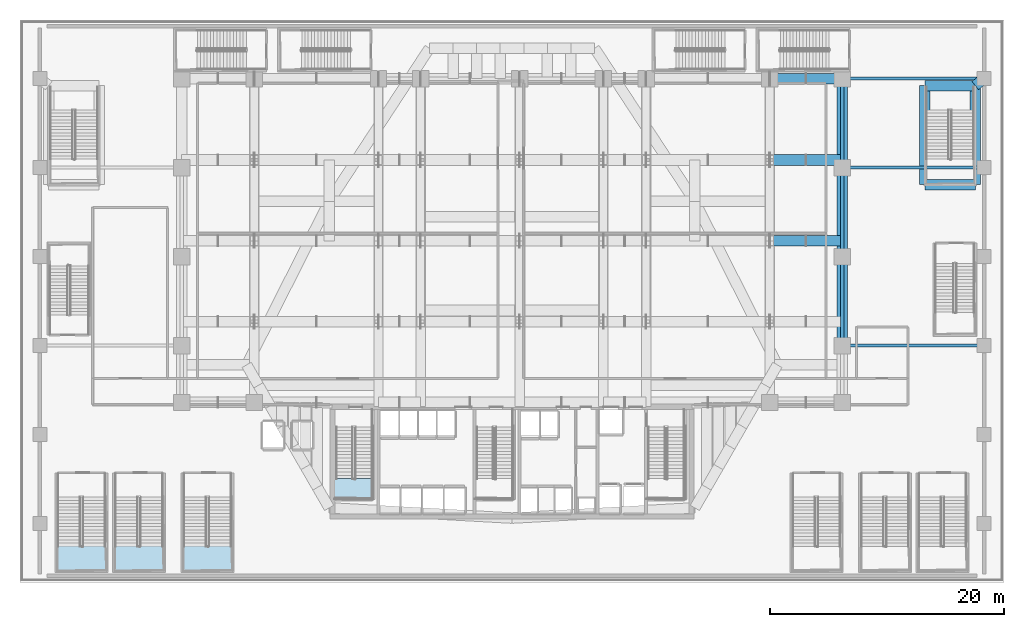
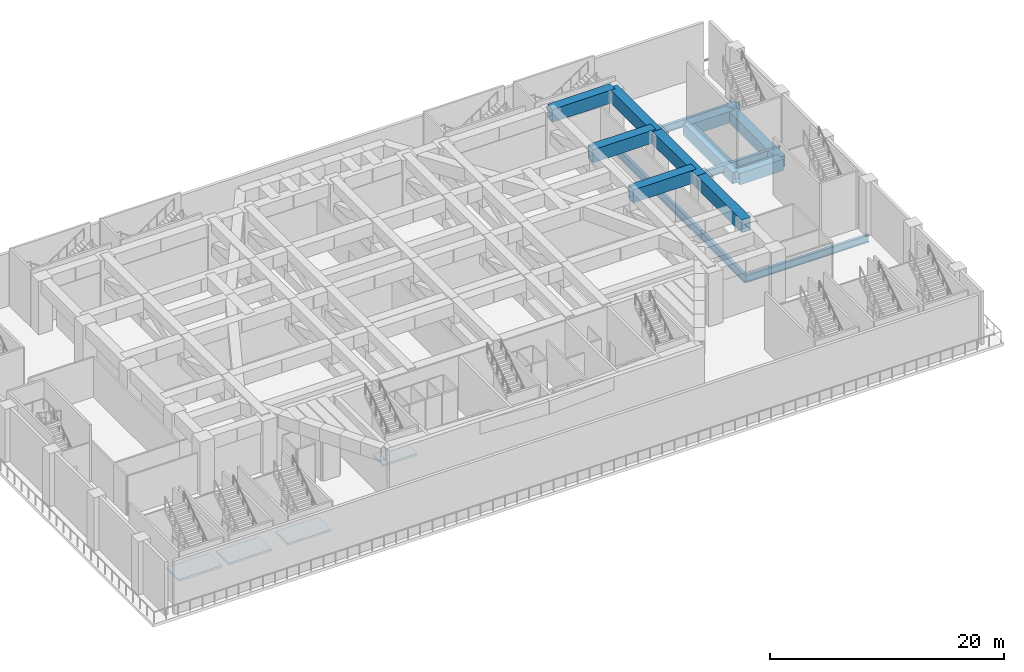
# One storey, part 4 of 27: 17 beams, 4 slabs, 4 elements without a shape of their own.
"""IFC4 building model written with IfcOpenShell, lengths in metres."""

from ifc_helpers import new_model, si_unit, direction, frame, origin, origin_2d, place, context, subcontext, project, spatial, polyline, hollow_rectangle, i_section, outline, extrude, material, layer, layer_set, material_profile, profile_set, type_object, element, aggregate, save


model = new_model("IFC4")

# Units and contexts
model_context = context("Model", 3, precision=1e-05, world=origin(), true_north=direction((0.0, 1.0)))
body_context = subcontext(model_context, "Body", "Model", "MODEL_VIEW")
ifc_project = project(units=[si_unit("LENGTHUNIT", "METRE"), si_unit("AREAUNIT", "SQUARE_METRE"), si_unit("VOLUMEUNIT", "CUBIC_METRE"), si_unit("PLANEANGLEUNIT", "RADIAN"), si_unit("MASSUNIT", "GRAM", prefix="KILO")], contexts=[model_context])

# Site, building, storey
site_placement = place(None, origin())
site = spatial("IfcSite", under=ifc_project, at=site_placement, CompositionType="ELEMENT")
building_placement = place(site_placement, origin())
building = spatial("IfcBuilding", under=site, at=building_placement, Name="Ndaravel Arena Tower", CompositionType="ELEMENT")
storey_placement = place(building_placement, frame((0.0, 0.0, 24.0)))
storey = spatial("IfcBuildingStorey", under=building, at=storey_placement, Name="L04", CompositionType="ELEMENT", Elevation=24.0)

# Beams
ifc_material_1 = material(Name="Steel S355", Category="steel")
ifc_material_profile_1 = material_profile(ifc_material_1, i_section(OverallWidth=0.26806640625, OverallDepth=0.769775390625, WebThickness=0.015625, FlangeThickness=0.025390625, FilletRadius=0.0166015625, at=origin_2d()), Name="UB 762x267x197")
ifc_profile_set_1 = profile_set([ifc_material_profile_1], Name="Steel S355")
beam_type_1 = type_object("IfcBeamType", Name="BM-POD-UB762", PredefinedType="BEAM", material=ifc_profile_set_1)
for number, where, z_axis, x_axis, name in (
    (1, (70.199951171875, 20.199951171875, -0.684814453125), (1.0, 0.0, 0.0), (0.0, 1.0, 0.0), "L04 East Concourse Beam 01"),
    (2, (70.199951171875, 35.39990234375, -0.684814453125), (1.0, 0.0, 0.0), (0.0, 1.0, 0.0), "L04 East Concourse Beam 03"),
    (3, (70.199951171875, 43.0, -0.684814453125), (1.0, 0.0, 0.0), (0.0, 1.0, 0.0), "L04 East Concourse Beam 04"),
):
    element("IfcBeam", number, at=place(storey_placement, frame(where, z_axis=z_axis, x_axis=x_axis)), inside=storey, type_object=beam_type_1, Name=name, PredefinedType="BEAM", context=body_context, shape_type="SweptSolid", body=[
        extrude(i_section(OverallWidth=0.26806640625, OverallDepth=0.769775390625, WebThickness=0.015625, FlangeThickness=0.025390625, FilletRadius=0.0166015625, at=origin_2d()), origin(), (0.0, 0.0, 1.0), 12.10009765625),
    ])
ifc_material_2 = material(Name="Steel S355", Category="steel")
ifc_material_profile_2 = material_profile(ifc_material_2, i_section(OverallWidth=0.293701171875, OverallDepth=0.850830078125, WebThickness=0.01611328125, FlangeThickness=0.02685546875, FilletRadius=0.017822265625, at=origin_2d()), Name="UB 838x292x226")
ifc_profile_set_2 = profile_set([ifc_material_profile_2], Name="Steel S355")
beam_type_2 = type_object("IfcBeamType", Name="BM-POD-UB838", PredefinedType="BEAM", material=ifc_profile_set_2)
beam_1_placement = place(storey_placement, frame((70.199951171875, 20.199951171875, -0.7255859375), z_axis=(0.0, 1.0, 0.0), x_axis=(-1.0, 0.0, 0.0)))
element("IfcBeam", 4, at=beam_1_placement, inside=storey, type_object=beam_type_2, Name="L04 Arena Ring Girder 06", PredefinedType="BEAM", context=body_context, shape_type="SweptSolid", body=[
    extrude(i_section(OverallWidth=0.293701171875, OverallDepth=0.850830078125, WebThickness=0.01611328125, FlangeThickness=0.02685546875, FilletRadius=0.017822265625, at=origin_2d()), origin(), (0.0, 0.0, 1.0), 7.60009765625),
])
beam_2_placement = place(storey_placement, frame((70.199951171875, 27.800048828125, -0.7255859375), z_axis=(0.0, 1.0, 0.0), x_axis=(-1.0, 0.0, 0.0)))
element("IfcBeam", 5, at=beam_2_placement, inside=storey, type_object=beam_type_2, Name="L04 Arena Ring Girder 07", PredefinedType="BEAM", context=body_context, shape_type="SweptSolid", body=[
    extrude(i_section(OverallWidth=0.293701171875, OverallDepth=0.850830078125, WebThickness=0.01611328125, FlangeThickness=0.02685546875, FilletRadius=0.017822265625, at=origin_2d()), origin(), (0.0, 0.0, 1.0), 7.599853515625),
])
beam_3_placement = place(storey_placement, frame((70.199951171875, 35.39990234375, -0.7255859375), z_axis=(0.0, 1.0, 0.0), x_axis=(-1.0, 0.0, 0.0)))
element("IfcBeam", 6, at=beam_3_placement, inside=storey, type_object=beam_type_2, Name="L04 Arena Ring Girder 08", PredefinedType="BEAM", context=body_context, shape_type="SweptSolid", body=[
    extrude(i_section(OverallWidth=0.293701171875, OverallDepth=0.850830078125, WebThickness=0.01611328125, FlangeThickness=0.02685546875, FilletRadius=0.017822265625, at=origin_2d()), origin(), (0.0, 0.0, 1.0), 7.60009765625),
])
ifc_material_3 = material(Name="Steel S460", Category="steel")
ifc_material_profile_3 = material_profile(ifc_material_3, hollow_rectangle(XDim=0.89990234375, YDim=1.199951171875, WallThickness=0.070068359375, at=origin_2d()), Name="BOX 1200x900x70")
ifc_profile_set_3 = profile_set([ifc_material_profile_3], Name="Steel S460")
beam_type_3 = type_object("IfcBeamType", Name="BM-XFER-BOX1200", PredefinedType="BEAM", material=ifc_profile_set_3)
beam_4_placement = place(storey_placement, frame((77.25, 33.949951171875, -0.89990234375), z_axis=(0.0, 1.0, 0.0), x_axis=(-1.0, 0.0, 0.0)))
element("IfcBeam", 7, at=beam_4_placement, inside=storey, type_object=beam_type_3, Name="L04 Stair ST-GDN-2 Side Carrier Beam 1", PredefinedType="BEAM", context=body_context, shape_type="SweptSolid", body=[
    extrude(hollow_rectangle(XDim=0.89990234375, YDim=1.199951171875, WallThickness=0.070068359375, at=origin_2d()), origin(), (0.0, 0.0, 1.0), 8.449951171875),
])
beam_5_placement = place(storey_placement, frame((82.300048828125, 43.0, -0.89990234375), z_axis=(-0.780819212266, -0.624757038981, 0.0), x_axis=(0.624757038981, -0.780819212266, 0.0)))
element("IfcBeam", 8, at=beam_5_placement, inside=storey, type_object=beam_type_3, Name="L04 Stair ST-GDN-2 Mega Column Bracket", PredefinedType="BEAM", context=body_context, shape_type="SweptSolid", body=[
    extrude(hollow_rectangle(XDim=0.89990234375, YDim=1.199951171875, WallThickness=0.070068359375, at=origin_2d()), origin(), (0.0, 0.0, 1.0), 0.96044921875),
])
beam_6_placement = place(storey_placement, frame((81.550048828125, 33.949951171875, -0.89990234375), z_axis=(0.0, 1.0, 0.0), x_axis=(-1.0, 0.0, 0.0)))
element("IfcBeam", 9, at=beam_6_placement, inside=storey, type_object=beam_type_3, Name="L04 Stair ST-GDN-2 Side Carrier Beam 2", PredefinedType="BEAM", context=body_context, shape_type="SweptSolid", body=[
    extrude(hollow_rectangle(XDim=0.89990234375, YDim=1.199951171875, WallThickness=0.070068359375, at=origin_2d()), origin(), (0.0, 0.0, 1.0), 8.449951171875),
])
for number, where, z_axis, x_axis, name in (
    (10, (77.25, 33.949951171875, -0.89990234375), (1.0, 0.0, 0.0), (0.0, 1.0, 0.0), "L04 Stair ST-GDN-2 End Carrier Beam 1"),
    (11, (77.25, 42.39990234375, -0.89990234375), (1.0, 0.0, 0.0), (0.0, 1.0, 0.0), "L04 Stair ST-GDN-2 End Carrier Beam 2"),
):
    element("IfcBeam", number, at=place(storey_placement, frame(where, z_axis=z_axis, x_axis=x_axis)), inside=storey, type_object=beam_type_3, Name=name, PredefinedType="BEAM", context=body_context, shape_type="SweptSolid", body=[
        extrude(hollow_rectangle(XDim=0.89990234375, YDim=1.199951171875, WallThickness=0.070068359375, at=origin_2d()), origin(), (0.0, 0.0, 1.0), 4.300048828125),
    ])
ifc_material_4 = material(Name="Steel S460", Category="steel")
ifc_material_profile_4 = material_profile(ifc_material_4, hollow_rectangle(XDim=0.89990234375, YDim=1.35009765625, WallThickness=0.070068359375, at=origin_2d()), Name="BOX 1350x900x70")
ifc_profile_set_4 = profile_set([ifc_material_profile_4], Name="Steel S460")
beam_type_4 = type_object("IfcBeamType", Name="BM-XFER-BOX1350", PredefinedType="BEAM", material=ifc_profile_set_4)
beam_7_placement = place(storey_placement, frame((70.199951171875, 20.199951171875, 4.875), z_axis=(0.0, 1.0, 0.0), x_axis=(-1.0, 0.0, 0.0)))
element("IfcBeam", 12, at=beam_7_placement, inside=storey, type_object=beam_type_4, Name="Transfer Perimeter Box Girder TPB-2.2", PredefinedType="BEAM", context=body_context, shape_type="SweptSolid", body=[
    extrude(hollow_rectangle(XDim=0.89990234375, YDim=1.35009765625, WallThickness=0.070068359375, at=origin_2d()), origin(), (0.0, 0.0, 1.0), 7.60009765625),
])
beam_8_placement = place(storey_placement, frame((70.199951171875, 27.800048828125, 4.875), z_axis=(0.0, 1.0, 0.0), x_axis=(-1.0, 0.0, 0.0)))
element("IfcBeam", 13, at=beam_8_placement, inside=storey, type_object=beam_type_4, Name="Transfer Perimeter Box Girder TPB-2.3", PredefinedType="BEAM", context=body_context, shape_type="SweptSolid", body=[
    extrude(hollow_rectangle(XDim=0.89990234375, YDim=1.35009765625, WallThickness=0.070068359375, at=origin_2d()), origin(), (0.0, 0.0, 1.0), 7.599853515625),
])
beam_9_placement = place(storey_placement, frame((70.199951171875, 35.39990234375, 4.875), z_axis=(0.0, 1.0, 0.0), x_axis=(-1.0, 0.0, 0.0)))
element("IfcBeam", 14, at=beam_9_placement, inside=storey, type_object=beam_type_4, Name="Transfer Perimeter Box Girder TPB-2.4", PredefinedType="BEAM", context=body_context, shape_type="SweptSolid", body=[
    extrude(hollow_rectangle(XDim=0.89990234375, YDim=1.35009765625, WallThickness=0.070068359375, at=origin_2d()), origin(), (0.0, 0.0, 1.0), 7.60009765625),
])
for number, where, z_axis, x_axis, name in (
    (15, (64.0, 29.14990234375, 4.875), (1.0, 0.0, 0.0), (0.0, 1.0, 0.0), "Transfer Deck Box Girder TG-3.8"),
    (16, (64.0, 36.050048828125, 4.875), (1.0, 0.0, 0.0), (0.0, 1.0, 0.0), "Transfer Deck Box Girder TG-4.8"),
    (17, (64.0, 43.0, 4.875), (1.0, 0.0, 0.0), (0.0, 1.0, 0.0), "Transfer Deck Box Girder TG-5.8"),
):
    element("IfcBeam", number, at=place(storey_placement, frame(where, z_axis=z_axis, x_axis=x_axis)), inside=storey, type_object=beam_type_4, Name=name, PredefinedType="BEAM", context=body_context, shape_type="SweptSolid", body=[
        extrude(hollow_rectangle(XDim=0.89990234375, YDim=1.35009765625, WallThickness=0.070068359375, at=origin_2d()), origin(), (0.0, 0.0, 1.0), 6.199951171875),
    ])

# Stair, slab
ifc_material_5 = material(Name="Concrete C40/50", Category="concrete")
stair_type_1 = type_object("IfcStairType", Name="STAIR-CORE-HT", PredefinedType="HALF_TURN_STAIR", material=ifc_material_5)
stair_1_placement = place(storey_placement, origin())
stair_1 = element("IfcStair", 18, at=stair_1_placement, inside=storey, type_object=stair_type_1, Name="L04 ST-1", PredefinedType="HALF_TURN_STAIR")
ifc_material_6 = material(Name="Concrete C40/50", Category="concrete")
ifc_layer = layer(ifc_material_6, 0.199951171875)
ifc_layer_set = layer_set([ifc_layer], Name="Concrete C40/50")
slab_type = type_object("IfcSlabType", Name="SLAB-STAIR-LANDING", PredefinedType="LANDING", material=ifc_layer_set)
slab_1_placement = place(storey_placement, frame((0.0, 0.0, 2.800048828125)))
slab_1 = element("IfcSlab", 19, at=slab_1_placement, type_object=slab_type, Name="ST-1 landing 1", PredefinedType="LANDING", context=body_context, shape_type="SweptSolid", body=[
    extrude(outline(polyline([(26.81005859375, 8.860107421875), (26.81005859375, 7.070068359375), (30.169921875, 7.070068359375), (30.169921875, 8.860107421875), (26.81005859375, 8.860107421875)])), origin(), (0.0, 0.0, 1.0), 0.199951171875),
])
aggregate(stair_1, [slab_1])

ifc_material_7 = material(Name="Concrete C40/50", Category="concrete")
stair_type_2 = type_object("IfcStairType", Name="STAIR-ARENA-HT", PredefinedType="HALF_TURN_STAIR", material=ifc_material_7)
stair_2_placement = place(storey_placement, origin())
stair_2 = element("IfcStair", 20, at=stair_2_placement, inside=storey, type_object=stair_type_2, Name="L04 ST-A01", PredefinedType="HALF_TURN_STAIR")
slab_2_placement = place(storey_placement, frame((0.0, 0.0, 2.800048828125)))
slab_2 = element("IfcSlab", 21, at=slab_2_placement, type_object=slab_type, Name="ST-A01 landing 1", PredefinedType="LANDING", context=body_context, shape_type="SweptSolid", body=[
    extrude(outline(polyline([(3.1201171875, 3.10498046875), (3.1201171875, 0.969970703125), (7.3798828125, 0.969970703125), (7.3798828125, 3.10498046875), (3.1201171875, 3.10498046875)])), origin(), (0.0, 0.0, 1.0), 0.199951171875),
])
aggregate(stair_2, [slab_2])

stair_3_placement = place(storey_placement, origin())
stair_3 = element("IfcStair", 22, at=stair_3_placement, inside=storey, type_object=stair_type_2, Name="L04 ST-A02", PredefinedType="HALF_TURN_STAIR")
slab_3_placement = place(storey_placement, frame((0.0, 0.0, 2.800048828125)))
slab_3 = element("IfcSlab", 23, at=slab_3_placement, type_object=slab_type, Name="ST-A02 landing 1", PredefinedType="LANDING", context=body_context, shape_type="SweptSolid", body=[
    extrude(outline(polyline([(8.02001953125, 3.10498046875), (8.02001953125, 0.969970703125), (12.280029296875, 0.969970703125), (12.280029296875, 3.10498046875), (8.02001953125, 3.10498046875)])), origin(), (0.0, 0.0, 1.0), 0.199951171875),
])
aggregate(stair_3, [slab_3])

stair_4_placement = place(storey_placement, origin())
stair_4 = element("IfcStair", 24, at=stair_4_placement, inside=storey, type_object=stair_type_2, Name="L04 ST-A03", PredefinedType="HALF_TURN_STAIR")
slab_4_placement = place(storey_placement, frame((0.0, 0.0, 2.800048828125)))
slab_4 = element("IfcSlab", 25, at=slab_4_placement, type_object=slab_type, Name="ST-A03 landing 1", PredefinedType="LANDING", context=body_context, shape_type="SweptSolid", body=[
    extrude(outline(polyline([(13.8701171875, 3.10498046875), (13.8701171875, 0.969970703125), (18.1298828125, 0.969970703125), (18.1298828125, 3.10498046875), (13.8701171875, 3.10498046875)])), origin(), (0.0, 0.0, 1.0), 0.199951171875),
])
aggregate(stair_4, [slab_4])

save(model, "model.ifc")
